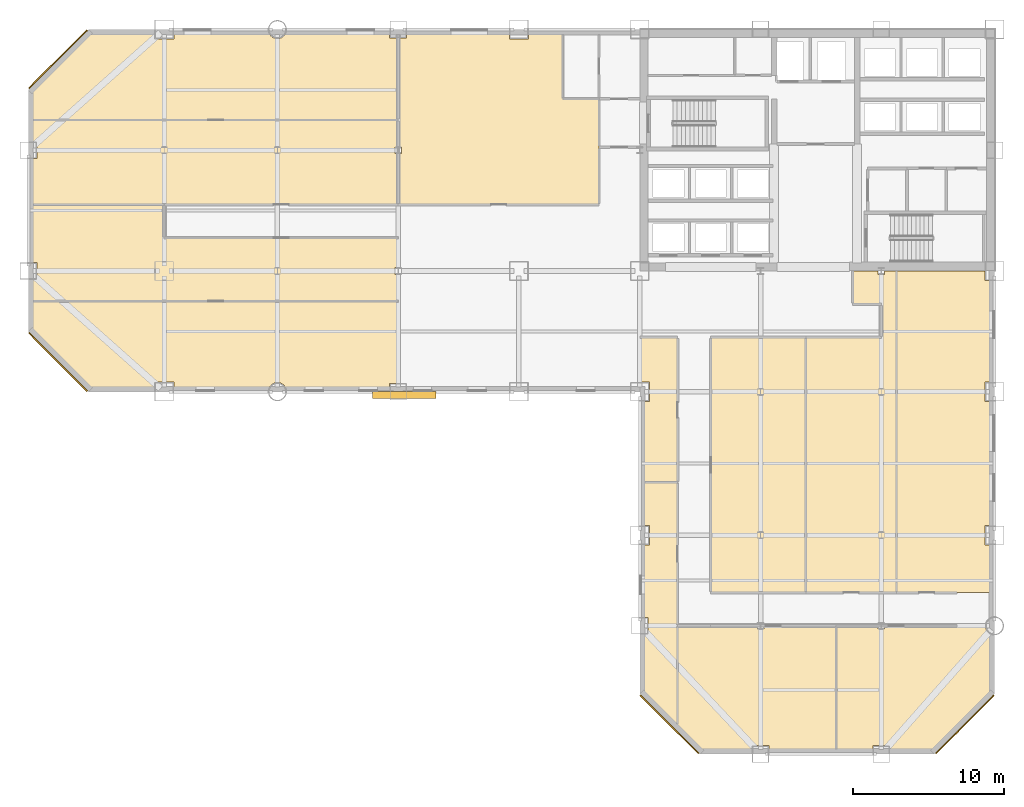
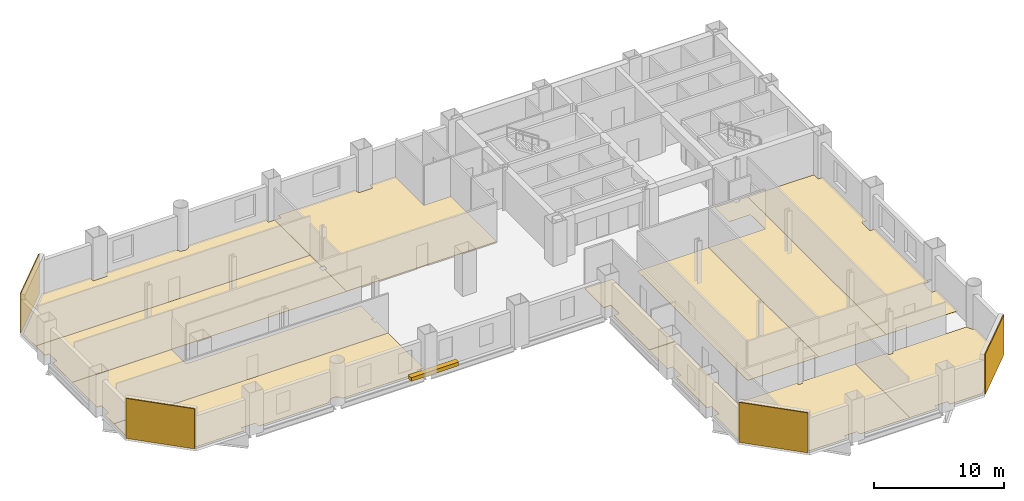
# One storey, part 8 of 9: 16 coverings, 1 shading device.
"""IFC4 building model written with IfcOpenShell, lengths in metres."""

import ifcopenshell
import ifcopenshell.guid

model = None  # the IFC model being written
_history = None  # IfcOwnerHistory: only IFC2X3 demands one
_inside = {}  # id of a spatial element -> (the spatial element, [elements in it])
_under = {}  # id of a project, library or spatial element -> (it, [spatial elements below it])
_declared = {}  # id of a project -> (the project, [libraries it declares])
_typed = {}  # id of a type object -> (the type object, [elements of that type])
_made_of = {}  # id of a material, layer set ... -> (it, [elements and type objects made of it])


def new_model(schema):
    """Start an empty IFC model of exactly this schema.

    Asked for "IFC4X3", IfcOpenShell would pick the latest addendum, in which some entities
    have other attributes; the version numbers below select the first issue.
    IFC2X3 requires an IfcOwnerHistory on every rooted entity: one is made here for all.
    """
    global model, _history
    if schema == "IFC4X3":
        model = ifcopenshell.file(schema_version=(4, 3, 0, 0))
    else:
        model = ifcopenshell.file(schema=schema)
    _inside.clear()
    _under.clear()
    _declared.clear()
    _typed.clear()
    _made_of.clear()
    _history = None
    if model.schema == "IFC2X3":
        org = make("IfcOrganization", Name="unknown")
        user = make(
            "IfcPersonAndOrganization",
            ThePerson=make("IfcPerson", FamilyName="unknown"),
            TheOrganization=org,
        )
        app = make(
            "IfcApplication",
            ApplicationDeveloper=org,
            Version="unknown",
            ApplicationFullName="unknown",
            ApplicationIdentifier="unknown",
        )
        _history = make(
            "IfcOwnerHistory",
            OwningUser=user,
            OwningApplication=app,
            ChangeAction="ADDED",
            CreationDate=0,
        )
    return model


def make(cls, **values):
    """One entity of the class cls with the attributes given. An attribute that is None is left unset."""
    return model.create_entity(
        cls, **{name: value for name, value in values.items() if value is not None}
    )


def rooted(cls, **values):
    """An entity with a GlobalId (a new one), such as an element, a storey or a relation."""
    return make(cls, GlobalId=ifcopenshell.guid.new(), OwnerHistory=_history, **values)


def si_unit(unit_type, name, prefix=None):
    """IfcSIUnit, for example si_unit("LENGTHUNIT", "METRE", prefix="MILLI")."""
    return make("IfcSIUnit", UnitType=unit_type, Prefix=prefix, Name=name)


def assignment(units):
    """IfcUnitAssignment: the units of a project."""
    return None if units is None else make("IfcUnitAssignment", Units=units)


def point(xyz):
    """IfcCartesianPoint."""
    return None if xyz is None else make("IfcCartesianPoint", Coordinates=xyz)


def direction(xyz):
    """IfcDirection."""
    return None if xyz is None else make("IfcDirection", DirectionRatios=xyz)


def frame(location, z_axis=None, x_axis=None):
    """IfcAxis2Placement3D, a coordinate frame: its origin and axes. An axis left out is left unset."""
    return make(
        "IfcAxis2Placement3D",
        Location=point(location),
        Axis=direction(z_axis),
        RefDirection=direction(x_axis),
    )


def frame_2d(location, x_axis=None):
    """IfcAxis2Placement2D, a coordinate frame in the plane: its origin and x axis."""
    return make(
        "IfcAxis2Placement2D", Location=point(location), RefDirection=direction(x_axis)
    )


def origin():
    """The frame at (0, 0, 0) with its axes left unset."""
    return frame((0.0, 0.0, 0.0))


def origin_2d():
    """The frame at (0, 0) in the plane with its x axis left unset."""
    return frame_2d((0.0, 0.0))


def place(relative_to, where):
    """IfcLocalPlacement: puts the frame where relative to a parent placement (None: the world)."""
    return make(
        "IfcLocalPlacement", PlacementRelTo=relative_to, RelativePlacement=where
    )


def context(
    kind, dimensions, precision=None, world=None, true_north=None, identifier=None
):
    """IfcGeometricRepresentationContext, for example the 3D "Model" context."""
    return make(
        "IfcGeometricRepresentationContext",
        ContextIdentifier=identifier,
        ContextType=kind,
        CoordinateSpaceDimension=dimensions,
        Precision=precision,
        WorldCoordinateSystem=world,
        TrueNorth=true_north,
    )


def subcontext(parent, identifier, kind, view, scale=None):
    """IfcGeometricRepresentationSubContext, for example "Body" below "Model"."""
    return make(
        "IfcGeometricRepresentationSubContext",
        ContextIdentifier=identifier,
        ContextType=kind,
        ParentContext=parent,
        TargetScale=scale,
        TargetView=view,
    )


def project(units=None, contexts=None):
    """IfcProject with its units and contexts."""
    return rooted(
        "IfcProject",
        Name="project",
        RepresentationContexts=contexts,
        UnitsInContext=assignment(units),
    )


def spatial(cls, under=None, at=None, **own):
    """A site, building, storey or space (cls), placed at a placement, below another one or the project."""
    s = rooted(cls, ObjectPlacement=at, **own)
    if under is not None:
        _under.setdefault(under.id(), (under, []))[1].append(s)
    return s


def polyline(points):
    """IfcPolyline through the points."""
    return make("IfcPolyline", Points=[point(p) for p in points])


def profile(cls, at=None, kind="AREA", **sizes):
    """A parametric profile (cls). Its sizes go by their IFC names, for example OverallWidth=200.0."""
    return make(cls, ProfileType=kind, Position=at, **sizes)


def rectangle(**sizes):
    """IfcRectangleProfileDef."""
    return profile("IfcRectangleProfileDef", **sizes)


def outline(outer, holes=None, kind="AREA"):
    """IfcArbitraryClosedProfileDef: a profile drawn as a closed curve; with holes, ...WithVoids."""
    if holes is None:
        return make("IfcArbitraryClosedProfileDef", ProfileType=kind, OuterCurve=outer)
    return make(
        "IfcArbitraryProfileDefWithVoids",
        ProfileType=kind,
        OuterCurve=outer,
        InnerCurves=holes,
    )


def extrude(swept, where, along, depth):
    """IfcExtrudedAreaSolid: the profile swept, set in the frame where, extruded along a direction by depth."""
    return make(
        "IfcExtrudedAreaSolid",
        SweptArea=swept,
        Position=where,
        ExtrudedDirection=direction(along),
        Depth=depth,
    )


def shape(context_of_items, identifier, shape_type, items):
    """IfcShapeRepresentation: the items that make up one representation, for example the "Body"."""
    return make(
        "IfcShapeRepresentation",
        ContextOfItems=context_of_items,
        RepresentationIdentifier=identifier,
        RepresentationType=shape_type,
        Items=items,
    )


def material(Name=None, Category=None):
    """IfcMaterial."""
    return make("IfcMaterial", Name=Name, Category=Category)


def layer(
    of_material, thickness, ventilated=None, Name=None, Category=None, Priority=None
):
    """IfcMaterialLayer: one layer of a wall or slab, of a material (None: an air gap)."""
    return make(
        "IfcMaterialLayer",
        Material=of_material,
        LayerThickness=thickness,
        IsVentilated=ventilated,
        Name=Name,
        Category=Category,
        Priority=Priority,
    )


def layer_set(layers, Name=None):
    """IfcMaterialLayerSet."""
    return make("IfcMaterialLayerSet", MaterialLayers=layers, LayerSetName=Name)


def made_of(thing, what):
    """Note that an element or type object is made of a material, layer set ...; save() writes the relation."""
    if what is not None:
        _made_of.setdefault(what.id(), (what, []))[1].append(thing)
    return thing


def type_object(cls, material=None, **own):
    """A type object (cls), such as IfcWallType, which elements share."""
    return made_of(rooted(cls, **own), material)


def element(
    cls,
    number,
    at=None,
    inside=None,
    cuts=None,
    type_object=None,
    material=None,
    context=None,
    identifier="Body",
    shape_type=None,
    held_by="IfcProductDefinitionShape",
    body=None,
    shapes=None,
    **own,
):
    """One element of the class cls, such as IfcWall. Its Tag is "e" and its number.

    at: its placement. inside: the storey or other place that contains it. cuts: it is an
    opening in that element (IfcRelVoidsElement). A single representation is given by context,
    identifier, shape_type and body (its items); several are given by shapes. held_by: the class
    of the entity that holds the representations. save() writes the other relations.
    """
    e = rooted(cls, Tag="e%d" % number, ObjectPlacement=at, **own)
    if body is not None:
        shapes = [shape(context, identifier, shape_type, body)]
    if shapes is not None:
        e.Representation = make(held_by, Representations=shapes)
    if inside is not None:
        _inside.setdefault(inside.id(), (inside, []))[1].append(e)
    if cuts is not None:
        rooted(
            "IfcRelVoidsElement", RelatingBuildingElement=cuts, RelatedOpeningElement=e
        )
    if type_object is not None:
        _typed.setdefault(type_object.id(), (type_object, []))[1].append(e)
    return made_of(e, material)


def aggregate(whole, parts):
    """IfcRelAggregates: a whole, such as a stair, and the parts it consists of."""
    return rooted("IfcRelAggregates", RelatingObject=whole, RelatedObjects=parts)


def save(model, path):
    """Write the relations noted so far, then the file.

    IfcRelAggregates (storeys below a building ...), IfcRelContainedInSpatialStructure (elements
    in a storey), IfcRelDefinesByType, IfcRelAssociatesMaterial and IfcRelDeclares: one each for
    every whole, place, type object, material and project.
    """
    for whole, parts in _under.values():
        aggregate(whole, parts)
    for where, things in _inside.values():
        rooted(
            "IfcRelContainedInSpatialStructure",
            RelatedElements=things,
            RelatingStructure=where,
        )
    for kind, things in _typed.values():
        rooted("IfcRelDefinesByType", RelatedObjects=things, RelatingType=kind)
    for what, things in _made_of.values():
        rooted("IfcRelAssociatesMaterial", RelatedObjects=things, RelatingMaterial=what)
    for by, libraries in _declared.values():
        rooted("IfcRelDeclares", RelatingContext=by, RelatedDefinitions=libraries)
    model.write(path)


model = new_model("IFC4")

# Units and contexts
model_context = context("Model", 3, precision=1e-05, world=origin(), true_north=direction((0.0, 1.0)))
body_context = subcontext(model_context, "Body", "Model", "MODEL_VIEW")
ifc_project = project(units=[si_unit("LENGTHUNIT", "METRE"), si_unit("AREAUNIT", "SQUARE_METRE"), si_unit("VOLUMEUNIT", "CUBIC_METRE"), si_unit("PLANEANGLEUNIT", "RADIAN"), si_unit("MASSUNIT", "GRAM", prefix="KILO")], contexts=[model_context])

# Site, building, storey
site_placement = place(None, origin())
site = spatial("IfcSite", under=ifc_project, at=site_placement, CompositionType="ELEMENT")
building_placement = place(site_placement, origin())
building = spatial("IfcBuilding", under=site, at=building_placement, Name="Qianrong Seaharbour Tower", CompositionType="ELEMENT")
storey_placement = place(building_placement, frame((0.0, 0.0, 76.199951171875)))
storey = spatial("IfcBuildingStorey", under=building, at=storey_placement, Name="L18", CompositionType="ELEMENT", Elevation=76.199951171875)

# Coverings
ifc_material_1 = material(Name="Unitised red brick cladding on Precast concrete C45/55", Category="masonry")
ifc_layer_1 = layer(ifc_material_1, 0.080078125)
ifc_layer_set_1 = layer_set([ifc_layer_1], Name="Unitised red brick cladding on Precast concrete C45/55")
covering_type_1 = type_object("IfcCoveringType", Name="COV-CLAD-RED-BRICK-80", PredefinedType="CLADDING", material=ifc_layer_set_1)
for number, where, z_axis, x_axis, name in (
    (1, (1.9716796875, 29.9716796875, 0.0), (0.0, 0.0, 1.0), (-0.707106781187, 0.707106781187, 0.0), "L18 Chamfer Corner Brick Cladding 02"),
    (2, (1.9716796875, 50.0283203125, 0.0), (0.0, 0.0, 1.0), (0.707106781187, 0.707106781187, 0.0), "L18 Chamfer Corner Brick Cladding 04"),
    (3, (62.0283203125, 5.9716796875, 0.0), (0.0, 0.0, 1.0), (-0.707106781187, -0.707106781187, 0.0), "L18 Chamfer Corner Brick Cladding 07"),
    (4, (42.4716796875, 5.9716796875, 0.0), (0.0, 0.0, 1.0), (-0.707106781187, 0.707106781187, 0.0), "L18 Chamfer Corner Brick Cladding 09"),
):
    element("IfcCovering", number, at=place(storey_placement, frame(where, z_axis=z_axis, x_axis=x_axis)), inside=storey, type_object=covering_type_1, Name=name, PredefinedType="CLADDING", context=body_context, shape_type="SweptSolid", body=[
        extrude(rectangle(XDim=5.456787109375, YDim=0.080078125, at=origin_2d()), origin(), (0.0, 0.0, 1.0), 3.75),
    ])
ifc_material_2 = material(Name="Acoustic modular carpet tile flooring")
ifc_layer_2 = layer(ifc_material_2, 0.02001953125)
ifc_layer_set_2 = layer_set([ifc_layer_2], Name="Acoustic modular carpet tile flooring")
covering_type_2 = type_object("IfcCoveringType", Name="COV-FLOOR-CARPET-20", PredefinedType="FLOORING", material=ifc_layer_set_2)
covering_1_placement = place(storey_placement, origin())
element("IfcCovering", 5, at=covering_1_placement, inside=storey, type_object=covering_type_2, Name="L18 Harbour Sunset Lounge 1 Finish Flooring", PredefinedType="FLOORING", context=body_context, shape_type="SweptSolid", body=[
    extrude(outline(polyline([(17.081298828125, 28.175048828125), (17.063720703125, 28.2333984375), (17.007080078125, 28.3388671875), (16.931396484375, 28.431396484375), (16.8388671875, 28.507080078125), (16.7333984375, 28.563720703125), (16.618896484375, 28.598388671875), (16.5, 28.610107421875), (16.381103515625, 28.598388671875), (16.2666015625, 28.563720703125), (16.1611328125, 28.507080078125), (16.068603515625, 28.431396484375), (15.992919921875, 28.3388671875), (15.936279296875, 28.2333984375), (15.918701171875, 28.175048828125), (9.635009765625, 28.175048828125), (9.635009765625, 28.635009765625), (8.364990234375, 28.635009765625), (8.364990234375, 28.175048828125), (4.072509765625, 28.175048828125), (0.175048828125, 32.072509765625), (0.175048828125, 34.0), (24.5, 34.0), (24.5, 28.56005859375), (23.93994140625, 28.56005859375), (23.93994140625, 28.175048828125), (17.081298828125, 28.175048828125)])), origin(), (0.0, 0.0, 1.0), 0.02001953125),
])
covering_2_placement = place(storey_placement, origin())
element("IfcCovering", 6, at=covering_2_placement, inside=storey, type_object=covering_type_2, Name="L18 Barista Coffee Pantry 2 Finish Flooring", PredefinedType="FLOORING", context=body_context, shape_type="SweptSolid", body=[
    extrude(outline(polyline([(0.175048828125, 34.0), (0.175048828125, 35.43994140625), (0.56005859375, 35.43994140625), (0.56005859375, 36.56005859375), (0.175048828125, 36.56005859375), (0.175048828125, 40.39990234375), (9.0, 40.39990234375), (9.0, 38.199951171875), (24.5, 38.199951171875), (24.5, 36.22412109375), (24.28662109375, 36.22412109375), (24.28662109375, 35.77587890625), (24.5, 35.77587890625), (24.5, 34.0), (0.175048828125, 34.0)])), origin(), (0.0, 0.0, 1.0), 0.02001953125),
])
covering_3_placement = place(storey_placement, origin())
element("IfcCovering", 7, at=covering_3_placement, inside=storey, type_object=covering_type_2, Name="L18 Quiet Sitting Lounge 4 Finish Flooring", PredefinedType="FLOORING", context=body_context, shape_type="SweptSolid", body=[
    extrude(outline(polyline([(0.175048828125, 47.927490234375), (4.072509765625, 51.824951171875), (8.364990234375, 51.824951171875), (8.364990234375, 51.364990234375), (9.635009765625, 51.364990234375), (9.635009765625, 51.824951171875), (15.918701171875, 51.824951171875), (15.936279296875, 51.7666015625), (15.992919921875, 51.6611328125), (16.068603515625, 51.568603515625), (16.1611328125, 51.492919921875), (16.2666015625, 51.436279296875), (16.381103515625, 51.401611328125), (16.5, 51.389892578125), (16.618896484375, 51.401611328125), (16.7333984375, 51.436279296875), (16.8388671875, 51.492919921875), (16.931396484375, 51.568603515625), (17.007080078125, 51.6611328125), (17.063720703125, 51.7666015625), (17.081298828125, 51.824951171875), (23.93994140625, 51.824951171875), (23.93994140625, 51.43994140625), (24.5, 51.43994140625), (24.5, 46.0), (0.175048828125, 46.0), (0.175048828125, 47.927490234375)])), origin(), (0.0, 0.0, 1.0), 0.02001953125),
])
covering_4_placement = place(storey_placement, origin())
element("IfcCovering", 8, at=covering_4_placement, inside=storey, type_object=covering_type_2, Name="L18 Catering Servery Kitchen 2 Finish Flooring", PredefinedType="FLOORING", context=body_context, shape_type="SweptSolid", body=[
    extrude(outline(polyline([(56.5, 31.60009765625), (56.5, 33.800048828125), (54.60009765625, 33.800048828125), (54.60009765625, 36.0), (56.28662109375, 36.0), (56.28662109375, 35.77587890625), (56.71337890625, 35.77587890625), (56.71337890625, 36.0), (57.5, 36.0), (57.5, 14.699951171875), (51.5, 14.699951171875), (51.5, 31.60009765625), (56.5, 31.60009765625)])), origin(), (0.0, 0.0, 1.0), 0.02001953125),
])
covering_5_placement = place(storey_placement, origin())
element("IfcCovering", 9, at=covering_5_placement, inside=storey, type_object=covering_type_2, Name="L18 Staff Lounge 3 Finish Flooring", PredefinedType="FLOORING", context=body_context, shape_type="SweptSolid", body=[
    extrude(outline(polyline([(63.364990234375, 36.0), (63.364990234375, 35.364990234375), (63.824951171875, 35.364990234375), (63.824951171875, 28.635009765625), (63.364990234375, 28.635009765625), (63.364990234375, 27.364990234375), (63.824951171875, 27.364990234375), (63.824951171875, 19.135009765625), (63.364990234375, 19.135009765625), (63.364990234375, 17.864990234375), (63.824951171875, 17.864990234375), (63.824951171875, 14.699951171875), (57.5, 14.699951171875), (57.5, 36.0), (63.364990234375, 36.0)])), origin(), (0.0, 0.0, 1.0), 0.02001953125),
])
covering_6_placement = place(storey_placement, origin())
element("IfcCovering", 10, at=covering_6_placement, inside=storey, type_object=covering_type_2, Name="L18 Wet Pantry 1 Finish Flooring", PredefinedType="FLOORING", context=body_context, shape_type="SweptSolid", body=[
    extrude(outline(polyline([(40.675048828125, 8.072509765625), (40.675048828125, 11.93994140625), (41.06005859375, 11.93994140625), (41.06005859375, 13.06005859375), (40.675048828125, 13.06005859375), (40.675048828125, 17.864990234375), (41.135009765625, 17.864990234375), (41.135009765625, 19.135009765625), (40.675048828125, 19.135009765625), (40.675048828125, 22.0), (43.0, 22.0), (43.0, 5.74755859375), (40.675048828125, 8.072509765625)])), origin(), (0.0, 0.0, 1.0), 0.02001953125),
])
covering_7_placement = place(storey_placement, origin())
element("IfcCovering", 11, at=covering_7_placement, inside=storey, type_object=covering_type_2, Name="L18 South View Lounge 1 Finish Flooring", PredefinedType="FLOORING", context=body_context, shape_type="SweptSolid", body=[
    extrude(outline(polyline([(53.5, 4.175048828125), (49.06005859375, 4.175048828125), (49.06005859375, 4.56005859375), (47.93994140625, 4.56005859375), (47.93994140625, 4.175048828125), (44.572509765625, 4.175048828125), (43.0, 5.74755859375), (43.0, 12.5), (48.28662109375, 12.5), (48.28662109375, 12.27587890625), (48.71337890625, 12.27587890625), (48.71337890625, 12.5), (53.5, 12.5), (53.5, 4.175048828125)])), origin(), (0.0, 0.0, 1.0), 0.02001953125),
])
covering_8_placement = place(storey_placement, origin())
element("IfcCovering", 12, at=covering_8_placement, inside=storey, type_object=covering_type_2, Name="L18 Tea Servery Pantry 2 Finish Flooring", PredefinedType="FLOORING", context=body_context, shape_type="SweptSolid", body=[
    extrude(outline(polyline([(63.824951171875, 8.072509765625), (59.927490234375, 4.175048828125), (57.06005859375, 4.175048828125), (57.06005859375, 4.56005859375), (55.93994140625, 4.56005859375), (55.93994140625, 4.175048828125), (53.5, 4.175048828125), (53.5, 12.5), (56.28662109375, 12.5), (56.28662109375, 12.27587890625), (56.71337890625, 12.27587890625), (56.71337890625, 12.5), (63.389892578125, 12.5), (63.401611328125, 12.381103515625), (63.436279296875, 12.2666015625), (63.492919921875, 12.1611328125), (63.568603515625, 12.068603515625), (63.6611328125, 11.992919921875), (63.7666015625, 11.936279296875), (63.824951171875, 11.918701171875), (63.824951171875, 8.072509765625)])), origin(), (0.0, 0.0, 1.0), 0.02001953125),
])
ifc_material_3 = material(Name="Honed granite stone flooring", Category="masonry")
ifc_layer_3 = layer(ifc_material_3, 0.030029296875)
ifc_layer_set_3 = layer_set([ifc_layer_3], Name="Honed granite stone flooring")
covering_type_3 = type_object("IfcCoveringType", Name="COV-FLOOR-GRANITE-30", PredefinedType="FLOORING", material=ifc_layer_set_3)
covering_9_placement = place(storey_placement, origin())
element("IfcCovering", 13, at=covering_9_placement, inside=storey, type_object=covering_type_3, Name="L18 Hospitality Dining Room 3 Finish Flooring", PredefinedType="FLOORING", context=body_context, shape_type="SweptSolid", body=[
    extrude(outline(polyline([(0.175048828125, 40.39990234375), (0.175048828125, 43.43994140625), (0.56005859375, 43.43994140625), (0.56005859375, 44.56005859375), (0.175048828125, 44.56005859375), (0.175048828125, 46.0), (24.5, 46.0), (24.5, 44.22412109375), (24.28662109375, 44.22412109375), (24.28662109375, 43.77587890625), (24.5, 43.77587890625), (24.5, 40.39990234375), (0.175048828125, 40.39990234375)])), origin(), (0.0, 0.0, 1.0), 0.030029296875),
])
covering_10_placement = place(storey_placement, origin())
element("IfcCovering", 14, at=covering_10_placement, inside=storey, type_object=covering_type_3, Name="L18 East Harbour Dining Salon 1 Finish Flooring", PredefinedType="FLOORING", context=body_context, shape_type="SweptSolid", body=[
    extrude(outline(polyline([(51.5, 31.60009765625), (51.5, 14.699951171875), (45.199951171875, 14.699951171875), (45.199951171875, 31.60009765625), (51.5, 31.60009765625)])), origin(), (0.0, 0.0, 1.0), 0.030029296875),
])
ifc_material_4 = material(Name="Calcium-sulphate raised access floor tile")
ifc_layer_4 = layer(ifc_material_4, 0.044921875)
ifc_layer_set_4 = layer_set([ifc_layer_4], Name="Calcium-sulphate raised access floor tile")
covering_type_4 = type_object("IfcCoveringType", Name="COV-FLOOR-RAISED-45", PredefinedType="FLOORING", material=ifc_layer_set_4)
covering_11_placement = place(storey_placement, origin())
element("IfcCovering", 15, at=covering_11_placement, inside=storey, type_object=covering_type_4, Name="L18 Central Spine Open-Plan Office Finish Flooring", PredefinedType="FLOORING", context=body_context, shape_type="SweptSolid", body=[
    extrude(outline(polyline([(31.864990234375, 51.824951171875), (31.864990234375, 51.364990234375), (33.135009765625, 51.364990234375), (33.135009765625, 51.824951171875), (35.39990234375, 51.824951171875), (35.39990234375, 47.39990234375), (37.800048828125, 47.39990234375), (37.800048828125, 40.39990234375), (24.5, 40.39990234375), (24.5, 43.77587890625), (24.71337890625, 43.77587890625), (24.71337890625, 44.22412109375), (24.5, 44.22412109375), (24.5, 51.43994140625), (25.06005859375, 51.43994140625), (25.06005859375, 51.824951171875), (31.864990234375, 51.824951171875)])), origin(), (0.0, 0.0, 1.0), 0.045166015625),
])
covering_12_placement = place(storey_placement, origin())
element("IfcCovering", 16, at=covering_12_placement, inside=storey, type_object=covering_type_4, Name="L18 Concierge Office 2 Finish Flooring", PredefinedType="FLOORING", context=body_context, shape_type="SweptSolid", body=[
    extrude(outline(polyline([(43.0, 22.0), (40.675048828125, 22.0), (40.675048828125, 27.364990234375), (41.135009765625, 27.364990234375), (41.135009765625, 28.635009765625), (40.5, 28.635009765625), (40.5, 31.60009765625), (43.0, 31.60009765625), (43.0, 22.0)])), origin(), (0.0, 0.0, 1.0), 0.045166015625),
])

# Shading device
ifc_material_5 = material(Name="White architectural precast concrete C45/55", Category="concrete")
shading_device_type = type_object("IfcShadingDeviceType", Name="SHD-SUNSHADE-WHITE-320", PredefinedType="AWNING", material=ifc_material_5)
shading_device_placement = place(storey_placement, frame((24.91259765625, 27.780029296875, -0.02001953125), z_axis=(0.0, 0.0, 1.0), x_axis=(1.0, 0.0, 0.0)))
element("IfcShadingDevice", 17, at=shading_device_placement, inside=storey, type_object=shading_device_type, Name="L18 Climbing White Precast Ribbon Canopy Fin", PredefinedType="AWNING", context=body_context, shape_type="SweptSolid", body=[
    extrude(rectangle(XDim=4.199951171875, YDim=0.4599609375, at=origin_2d()), origin(), (0.0, 0.0, 1.0), 0.340087890625),
])

save(model, "model.ifc")
